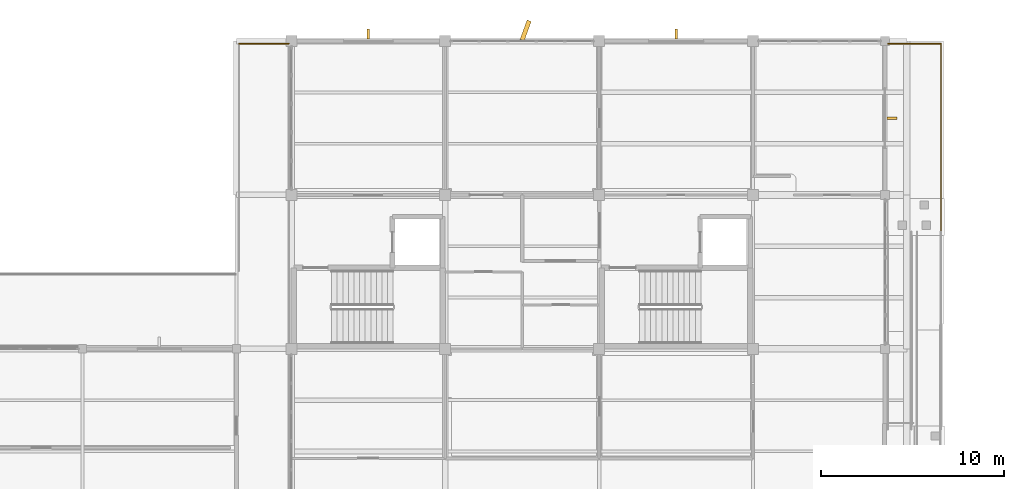
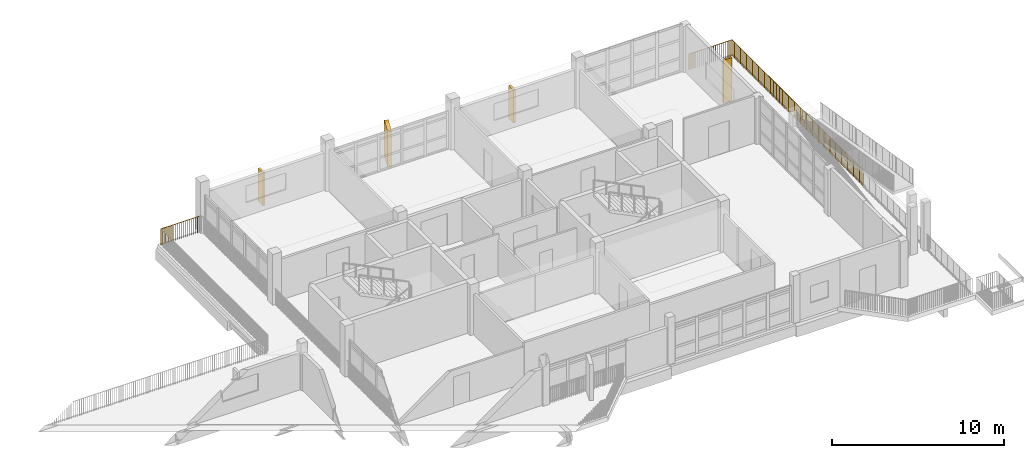
# One storey, part 33 of 33: 3 railings, 3 shading devices, 1 covering.
"""IFC4 building model written with IfcOpenShell, lengths in metres."""

import ifcopenshell
import ifcopenshell.guid

model = None  # the IFC model being written
_history = None  # IfcOwnerHistory: only IFC2X3 demands one
_inside = {}  # id of a spatial element -> (the spatial element, [elements in it])
_under = {}  # id of a project, library or spatial element -> (it, [spatial elements below it])
_declared = {}  # id of a project -> (the project, [libraries it declares])
_typed = {}  # id of a type object -> (the type object, [elements of that type])
_made_of = {}  # id of a material, layer set ... -> (it, [elements and type objects made of it])


def new_model(schema):
    """Start an empty IFC model of exactly this schema.

    Asked for "IFC4X3", IfcOpenShell would pick the latest addendum, in which some entities
    have other attributes; the version numbers below select the first issue.
    IFC2X3 requires an IfcOwnerHistory on every rooted entity: one is made here for all.
    """
    global model, _history
    if schema == "IFC4X3":
        model = ifcopenshell.file(schema_version=(4, 3, 0, 0))
    else:
        model = ifcopenshell.file(schema=schema)
    _inside.clear()
    _under.clear()
    _declared.clear()
    _typed.clear()
    _made_of.clear()
    _history = None
    if model.schema == "IFC2X3":
        org = make("IfcOrganization", Name="unknown")
        user = make(
            "IfcPersonAndOrganization",
            ThePerson=make("IfcPerson", FamilyName="unknown"),
            TheOrganization=org,
        )
        app = make(
            "IfcApplication",
            ApplicationDeveloper=org,
            Version="unknown",
            ApplicationFullName="unknown",
            ApplicationIdentifier="unknown",
        )
        _history = make(
            "IfcOwnerHistory",
            OwningUser=user,
            OwningApplication=app,
            ChangeAction="ADDED",
            CreationDate=0,
        )
    return model


def make(cls, **values):
    """One entity of the class cls with the attributes given. An attribute that is None is left unset."""
    return model.create_entity(
        cls, **{name: value for name, value in values.items() if value is not None}
    )


def rooted(cls, **values):
    """An entity with a GlobalId (a new one), such as an element, a storey or a relation."""
    return make(cls, GlobalId=ifcopenshell.guid.new(), OwnerHistory=_history, **values)


def si_unit(unit_type, name, prefix=None):
    """IfcSIUnit, for example si_unit("LENGTHUNIT", "METRE", prefix="MILLI")."""
    return make("IfcSIUnit", UnitType=unit_type, Prefix=prefix, Name=name)


def assignment(units):
    """IfcUnitAssignment: the units of a project."""
    return None if units is None else make("IfcUnitAssignment", Units=units)


def point(xyz):
    """IfcCartesianPoint."""
    return None if xyz is None else make("IfcCartesianPoint", Coordinates=xyz)


def direction(xyz):
    """IfcDirection."""
    return None if xyz is None else make("IfcDirection", DirectionRatios=xyz)


def frame(location, z_axis=None, x_axis=None):
    """IfcAxis2Placement3D, a coordinate frame: its origin and axes. An axis left out is left unset."""
    return make(
        "IfcAxis2Placement3D",
        Location=point(location),
        Axis=direction(z_axis),
        RefDirection=direction(x_axis),
    )


def frame_2d(location, x_axis=None):
    """IfcAxis2Placement2D, a coordinate frame in the plane: its origin and x axis."""
    return make(
        "IfcAxis2Placement2D", Location=point(location), RefDirection=direction(x_axis)
    )


def origin():
    """The frame at (0, 0, 0) with its axes left unset."""
    return frame((0.0, 0.0, 0.0))


def origin_2d():
    """The frame at (0, 0) in the plane with its x axis left unset."""
    return frame_2d((0.0, 0.0))


def place(relative_to, where):
    """IfcLocalPlacement: puts the frame where relative to a parent placement (None: the world)."""
    return make(
        "IfcLocalPlacement", PlacementRelTo=relative_to, RelativePlacement=where
    )


def context(
    kind, dimensions, precision=None, world=None, true_north=None, identifier=None
):
    """IfcGeometricRepresentationContext, for example the 3D "Model" context."""
    return make(
        "IfcGeometricRepresentationContext",
        ContextIdentifier=identifier,
        ContextType=kind,
        CoordinateSpaceDimension=dimensions,
        Precision=precision,
        WorldCoordinateSystem=world,
        TrueNorth=true_north,
    )


def subcontext(parent, identifier, kind, view, scale=None):
    """IfcGeometricRepresentationSubContext, for example "Body" below "Model"."""
    return make(
        "IfcGeometricRepresentationSubContext",
        ContextIdentifier=identifier,
        ContextType=kind,
        ParentContext=parent,
        TargetScale=scale,
        TargetView=view,
    )


def project(units=None, contexts=None):
    """IfcProject with its units and contexts."""
    return rooted(
        "IfcProject",
        Name="project",
        RepresentationContexts=contexts,
        UnitsInContext=assignment(units),
    )


def spatial(cls, under=None, at=None, **own):
    """A site, building, storey or space (cls), placed at a placement, below another one or the project."""
    s = rooted(cls, ObjectPlacement=at, **own)
    if under is not None:
        _under.setdefault(under.id(), (under, []))[1].append(s)
    return s


def profile(cls, at=None, kind="AREA", **sizes):
    """A parametric profile (cls). Its sizes go by their IFC names, for example OverallWidth=200.0."""
    return make(cls, ProfileType=kind, Position=at, **sizes)


def rectangle(**sizes):
    """IfcRectangleProfileDef."""
    return profile("IfcRectangleProfileDef", **sizes)


def circle(**sizes):
    """IfcCircleProfileDef."""
    return profile("IfcCircleProfileDef", **sizes)


def extrude(swept, where, along, depth):
    """IfcExtrudedAreaSolid: the profile swept, set in the frame where, extruded along a direction by depth."""
    return make(
        "IfcExtrudedAreaSolid",
        SweptArea=swept,
        Position=where,
        ExtrudedDirection=direction(along),
        Depth=depth,
    )


def shape(context_of_items, identifier, shape_type, items):
    """IfcShapeRepresentation: the items that make up one representation, for example the "Body"."""
    return make(
        "IfcShapeRepresentation",
        ContextOfItems=context_of_items,
        RepresentationIdentifier=identifier,
        RepresentationType=shape_type,
        Items=items,
    )


def material(Name=None, Category=None):
    """IfcMaterial."""
    return make("IfcMaterial", Name=Name, Category=Category)


def layer(
    of_material, thickness, ventilated=None, Name=None, Category=None, Priority=None
):
    """IfcMaterialLayer: one layer of a wall or slab, of a material (None: an air gap)."""
    return make(
        "IfcMaterialLayer",
        Material=of_material,
        LayerThickness=thickness,
        IsVentilated=ventilated,
        Name=Name,
        Category=Category,
        Priority=Priority,
    )


def layer_set(layers, Name=None):
    """IfcMaterialLayerSet."""
    return make("IfcMaterialLayerSet", MaterialLayers=layers, LayerSetName=Name)


def made_of(thing, what):
    """Note that an element or type object is made of a material, layer set ...; save() writes the relation."""
    if what is not None:
        _made_of.setdefault(what.id(), (what, []))[1].append(thing)
    return thing


def type_object(cls, material=None, **own):
    """A type object (cls), such as IfcWallType, which elements share."""
    return made_of(rooted(cls, **own), material)


def element(
    cls,
    number,
    at=None,
    inside=None,
    cuts=None,
    type_object=None,
    material=None,
    context=None,
    identifier="Body",
    shape_type=None,
    held_by="IfcProductDefinitionShape",
    body=None,
    shapes=None,
    **own,
):
    """One element of the class cls, such as IfcWall. Its Tag is "e" and its number.

    at: its placement. inside: the storey or other place that contains it. cuts: it is an
    opening in that element (IfcRelVoidsElement). A single representation is given by context,
    identifier, shape_type and body (its items); several are given by shapes. held_by: the class
    of the entity that holds the representations. save() writes the other relations.
    """
    e = rooted(cls, Tag="e%d" % number, ObjectPlacement=at, **own)
    if body is not None:
        shapes = [shape(context, identifier, shape_type, body)]
    if shapes is not None:
        e.Representation = make(held_by, Representations=shapes)
    if inside is not None:
        _inside.setdefault(inside.id(), (inside, []))[1].append(e)
    if cuts is not None:
        rooted(
            "IfcRelVoidsElement", RelatingBuildingElement=cuts, RelatedOpeningElement=e
        )
    if type_object is not None:
        _typed.setdefault(type_object.id(), (type_object, []))[1].append(e)
    return made_of(e, material)


def aggregate(whole, parts):
    """IfcRelAggregates: a whole, such as a stair, and the parts it consists of."""
    return rooted("IfcRelAggregates", RelatingObject=whole, RelatedObjects=parts)


def save(model, path):
    """Write the relations noted so far, then the file.

    IfcRelAggregates (storeys below a building ...), IfcRelContainedInSpatialStructure (elements
    in a storey), IfcRelDefinesByType, IfcRelAssociatesMaterial and IfcRelDeclares: one each for
    every whole, place, type object, material and project.
    """
    for whole, parts in _under.values():
        aggregate(whole, parts)
    for where, things in _inside.values():
        rooted(
            "IfcRelContainedInSpatialStructure",
            RelatedElements=things,
            RelatingStructure=where,
        )
    for kind, things in _typed.values():
        rooted("IfcRelDefinesByType", RelatedObjects=things, RelatingType=kind)
    for what, things in _made_of.values():
        rooted("IfcRelAssociatesMaterial", RelatedObjects=things, RelatingMaterial=what)
    for by, libraries in _declared.values():
        rooted("IfcRelDeclares", RelatingContext=by, RelatedDefinitions=libraries)
    model.write(path)


model = new_model("IFC4")

# Units and contexts
model_context = context("Model", 3, precision=1e-05, world=origin(), true_north=direction((0.0, 1.0)))
body_context = subcontext(model_context, "Body", "Model", "MODEL_VIEW")
ifc_project = project(units=[si_unit("LENGTHUNIT", "METRE"), si_unit("AREAUNIT", "SQUARE_METRE"), si_unit("VOLUMEUNIT", "CUBIC_METRE"), si_unit("PLANEANGLEUNIT", "RADIAN"), si_unit("MASSUNIT", "GRAM", prefix="KILO")], contexts=[model_context])

# Site, building, storey
site_placement = place(None, origin())
site = spatial("IfcSite", under=ifc_project, at=site_placement, CompositionType="ELEMENT")
building_placement = place(site_placement, origin())
building = spatial("IfcBuilding", under=site, at=building_placement, Name="Vanh Quang Courtyard School", CompositionType="ELEMENT")
storey_placement = place(building_placement, frame((0.0, 0.0, 18.60009765625)))
storey = spatial("IfcBuildingStorey", under=building, at=storey_placement, Name="L05", CompositionType="ELEMENT", Elevation=18.60009765625)

# Covering
ifc_material_1 = material(Name="Board-marked precast concrete C40/50", Category="concrete")
ifc_layer = layer(ifc_material_1, 0.239990234375)
ifc_layer_set = layer_set([ifc_layer], Name="Board-marked precast concrete C40/50")
covering_type = type_object("IfcCoveringType", Name="COV-HOOD-CONC", PredefinedType="CLADDING", material=ifc_layer_set)
covering_placement = place(storey_placement, frame((90.18994140625, 97.18505859375, -0.000244140625), z_axis=(0.0, 0.0, 1.0), x_axis=(0.340379550213, 0.94028812701, 0.0)))
element("IfcCovering", 1, at=covering_placement, inside=storey, type_object=covering_type, Name="Covering CH-01 (L05)", PredefinedType="CLADDING", context=body_context, shape_type="SweptSolid", body=[
    extrude(rectangle(XDim=1.11669921875, YDim=0.239990234375, at=origin_2d()), origin(), (0.0, 0.0, 1.0), 2.56005859375),
])

# Railings
ifc_material_2 = material(Name="Galvanised painted steel EN 10025-2 S355J2", Category="steel")
railing_type = type_object("IfcRailingType", Name="RAIL-GUARD-1150", PredefinedType="BALUSTRADE", material=ifc_material_2)
railing_1_placement = place(storey_placement, frame((109.96826171875, 96.4599609375, 0.0)))
element("IfcRailing", 2, at=railing_1_placement, inside=storey, type_object=railing_type, Name="Railing GR-01 (L05)", PredefinedType="BALUSTRADE", context=body_context, shape_type="SweptSolid", body=[
    extrude(circle(Radius=0.02392578125, at=origin_2d()), frame((0.0, 0.0, 1.1259765625), z_axis=(1.0, 0.0, 0.0), x_axis=(0.0, 1.0, 0.0)), (0.0, 0.0, 1.0), 2.891845703125),
    extrude(circle(Radius=0.02099609375, at=origin_2d()), origin(), (0.0, 0.0, 1.0), 1.101806640625),
    extrude(circle(Radius=0.02099609375, at=origin_2d()), frame((0.1376953125, 0.0, 0.0)), (0.0, 0.0, 1.0), 1.101806640625),
    extrude(circle(Radius=0.02099609375, at=origin_2d()), frame((0.275390625, 0.0, 0.0)), (0.0, 0.0, 1.0), 1.101806640625),
    extrude(circle(Radius=0.02099609375, at=origin_2d()), frame((0.4130859375, 0.0, 0.0)), (0.0, 0.0, 1.0), 1.101806640625),
    extrude(circle(Radius=0.02099609375, at=origin_2d()), frame((0.55078125, 0.0, 0.0)), (0.0, 0.0, 1.0), 1.101806640625),
    extrude(circle(Radius=0.02099609375, at=origin_2d()), frame((0.6884765625, 0.0, 0.0)), (0.0, 0.0, 1.0), 1.101806640625),
    extrude(circle(Radius=0.02099609375, at=origin_2d()), frame((0.826171875, 0.0, 0.0)), (0.0, 0.0, 1.0), 1.101806640625),
    extrude(circle(Radius=0.02099609375, at=origin_2d()), frame((0.9638671875, 0.0, 0.0)), (0.0, 0.0, 1.0), 1.101806640625),
    extrude(circle(Radius=0.02099609375, at=origin_2d()), frame((1.1015625, 0.0, 0.0)), (0.0, 0.0, 1.0), 1.101806640625),
    extrude(circle(Radius=0.02099609375, at=origin_2d()), frame((1.2392578125, 0.0, 0.0)), (0.0, 0.0, 1.0), 1.101806640625),
    extrude(circle(Radius=0.02099609375, at=origin_2d()), frame((1.376953125, 0.0, 0.0)), (0.0, 0.0, 1.0), 1.101806640625),
    extrude(circle(Radius=0.02099609375, at=origin_2d()), frame((1.514892578125, 0.0, 0.0)), (0.0, 0.0, 1.0), 1.101806640625),
    extrude(circle(Radius=0.02099609375, at=origin_2d()), frame((1.652587890625, 0.0, 0.0)), (0.0, 0.0, 1.0), 1.101806640625),
    extrude(circle(Radius=0.02099609375, at=origin_2d()), frame((1.790283203125, 0.0, 0.0)), (0.0, 0.0, 1.0), 1.101806640625),
    extrude(circle(Radius=0.02099609375, at=origin_2d()), frame((1.927978515625, 0.0, 0.0)), (0.0, 0.0, 1.0), 1.101806640625),
    extrude(circle(Radius=0.02099609375, at=origin_2d()), frame((2.065673828125, 0.0, 0.0)), (0.0, 0.0, 1.0), 1.101806640625),
    extrude(circle(Radius=0.02099609375, at=origin_2d()), frame((2.203369140625, 0.0, 0.0)), (0.0, 0.0, 1.0), 1.101806640625),
    extrude(circle(Radius=0.02099609375, at=origin_2d()), frame((2.341064453125, 0.0, 0.0)), (0.0, 0.0, 1.0), 1.101806640625),
    extrude(circle(Radius=0.02099609375, at=origin_2d()), frame((2.478759765625, 0.0, 0.0)), (0.0, 0.0, 1.0), 1.101806640625),
    extrude(circle(Radius=0.02099609375, at=origin_2d()), frame((2.616455078125, 0.0, 0.0)), (0.0, 0.0, 1.0), 1.101806640625),
    extrude(circle(Radius=0.02099609375, at=origin_2d()), frame((2.754150390625, 0.0, 0.0)), (0.0, 0.0, 1.0), 1.101806640625),
    extrude(circle(Radius=0.02099609375, at=origin_2d()), frame((2.891845703125, 0.0, 0.0)), (0.0, 0.0, 1.0), 1.101806640625),
])
railing_2_placement = place(storey_placement, frame((112.860107421875, 96.4599609375, 0.0)))
element("IfcRailing", 3, at=railing_2_placement, inside=storey, type_object=railing_type, Name="Railing GR-01 (L05)", PredefinedType="BALUSTRADE", context=body_context, shape_type="SweptSolid", body=[
    extrude(circle(Radius=0.02392578125, at=origin_2d()), frame((0.0, 0.0, 1.1259765625), z_axis=(0.0, -1.0, 0.0), x_axis=(1.0, 0.0, 0.0)), (0.0, 0.0, 1.0), 15.231689453125),
    extrude(circle(Radius=0.02099609375, at=origin_2d()), origin(), (0.0, 0.0, 1.0), 1.101806640625),
    extrude(circle(Radius=0.02099609375, at=origin_2d()), frame((0.0, -0.1396484375, 0.0)), (0.0, 0.0, 1.0), 1.101806640625),
    extrude(circle(Radius=0.02099609375, at=origin_2d()), frame((0.0, -0.279541015625, 0.0)), (0.0, 0.0, 1.0), 1.101806640625),
    extrude(circle(Radius=0.02099609375, at=origin_2d()), frame((0.0, -0.419189453125, 0.0)), (0.0, 0.0, 1.0), 1.101806640625),
    extrude(circle(Radius=0.02099609375, at=origin_2d()), frame((0.0, -0.55908203125, 0.0)), (0.0, 0.0, 1.0), 1.101806640625),
    extrude(circle(Radius=0.02099609375, at=origin_2d()), frame((0.0, -0.69873046875, 0.0)), (0.0, 0.0, 1.0), 1.101806640625),
    extrude(circle(Radius=0.02099609375, at=origin_2d()), frame((0.0, -0.83837890625, 0.0)), (0.0, 0.0, 1.0), 1.101806640625),
    extrude(circle(Radius=0.02099609375, at=origin_2d()), frame((0.0, -0.978271484375, 0.0)), (0.0, 0.0, 1.0), 1.101806640625),
    extrude(circle(Radius=0.02099609375, at=origin_2d()), frame((0.0, -1.117919921875, 0.0)), (0.0, 0.0, 1.0), 1.101806640625),
    extrude(circle(Radius=0.02099609375, at=origin_2d()), frame((0.0, -1.257568359375, 0.0)), (0.0, 0.0, 1.0), 1.101806640625),
    extrude(circle(Radius=0.02099609375, at=origin_2d()), frame((0.0, -1.3974609375, 0.0)), (0.0, 0.0, 1.0), 1.101806640625),
    extrude(circle(Radius=0.02099609375, at=origin_2d()), frame((0.0, -1.537109375, 0.0)), (0.0, 0.0, 1.0), 1.101806640625),
    extrude(circle(Radius=0.02099609375, at=origin_2d()), frame((0.0, -1.677001953125, 0.0)), (0.0, 0.0, 1.0), 1.101806640625),
    extrude(circle(Radius=0.02099609375, at=origin_2d()), frame((0.0, -1.816650390625, 0.0)), (0.0, 0.0, 1.0), 1.101806640625),
    extrude(circle(Radius=0.02099609375, at=origin_2d()), frame((0.0, -1.956298828125, 0.0)), (0.0, 0.0, 1.0), 1.101806640625),
    extrude(circle(Radius=0.02099609375, at=origin_2d()), frame((0.0, -2.09619140625, 0.0)), (0.0, 0.0, 1.0), 1.101806640625),
    extrude(circle(Radius=0.02099609375, at=origin_2d()), frame((0.0, -2.23583984375, 0.0)), (0.0, 0.0, 1.0), 1.101806640625),
    extrude(circle(Radius=0.02099609375, at=origin_2d()), frame((0.0, -2.37548828125, 0.0)), (0.0, 0.0, 1.0), 1.101806640625),
    extrude(circle(Radius=0.02099609375, at=origin_2d()), frame((0.0, -2.515380859375, 0.0)), (0.0, 0.0, 1.0), 1.101806640625),
    extrude(circle(Radius=0.02099609375, at=origin_2d()), frame((0.0, -2.655029296875, 0.0)), (0.0, 0.0, 1.0), 1.101806640625),
    extrude(circle(Radius=0.02099609375, at=origin_2d()), frame((0.0, -2.794921875, 0.0)), (0.0, 0.0, 1.0), 1.101806640625),
    extrude(circle(Radius=0.02099609375, at=origin_2d()), frame((0.0, -2.9345703125, 0.0)), (0.0, 0.0, 1.0), 1.101806640625),
    extrude(circle(Radius=0.02099609375, at=origin_2d()), frame((0.0, -3.07421875, 0.0)), (0.0, 0.0, 1.0), 1.101806640625),
    extrude(circle(Radius=0.02099609375, at=origin_2d()), frame((0.0, -3.214111328125, 0.0)), (0.0, 0.0, 1.0), 1.101806640625),
    extrude(circle(Radius=0.02099609375, at=origin_2d()), frame((0.0, -3.353759765625, 0.0)), (0.0, 0.0, 1.0), 1.101806640625),
    extrude(circle(Radius=0.02099609375, at=origin_2d()), frame((0.0, -3.493408203125, 0.0)), (0.0, 0.0, 1.0), 1.101806640625),
    extrude(circle(Radius=0.02099609375, at=origin_2d()), frame((0.0, -3.63330078125, 0.0)), (0.0, 0.0, 1.0), 1.101806640625),
    extrude(circle(Radius=0.02099609375, at=origin_2d()), frame((0.0, -3.77294921875, 0.0)), (0.0, 0.0, 1.0), 1.101806640625),
    extrude(circle(Radius=0.02099609375, at=origin_2d()), frame((0.0, -3.912841796875, 0.0)), (0.0, 0.0, 1.0), 1.101806640625),
    extrude(circle(Radius=0.02099609375, at=origin_2d()), frame((0.0, -4.052490234375, 0.0)), (0.0, 0.0, 1.0), 1.101806640625),
    extrude(circle(Radius=0.02099609375, at=origin_2d()), frame((0.0, -4.192138671875, 0.0)), (0.0, 0.0, 1.0), 1.101806640625),
    extrude(circle(Radius=0.02099609375, at=origin_2d()), frame((0.0, -4.33203125, 0.0)), (0.0, 0.0, 1.0), 1.101806640625),
    extrude(circle(Radius=0.02099609375, at=origin_2d()), frame((0.0, -4.4716796875, 0.0)), (0.0, 0.0, 1.0), 1.101806640625),
    extrude(circle(Radius=0.02099609375, at=origin_2d()), frame((0.0, -4.611328125, 0.0)), (0.0, 0.0, 1.0), 1.101806640625),
    extrude(circle(Radius=0.02099609375, at=origin_2d()), frame((0.0, -4.751220703125, 0.0)), (0.0, 0.0, 1.0), 1.101806640625),
    extrude(circle(Radius=0.02099609375, at=origin_2d()), frame((0.0, -4.890869140625, 0.0)), (0.0, 0.0, 1.0), 1.101806640625),
    extrude(circle(Radius=0.02099609375, at=origin_2d()), frame((0.0, -5.03076171875, 0.0)), (0.0, 0.0, 1.0), 1.101806640625),
    extrude(circle(Radius=0.02099609375, at=origin_2d()), frame((0.0, -5.17041015625, 0.0)), (0.0, 0.0, 1.0), 1.101806640625),
    extrude(circle(Radius=0.02099609375, at=origin_2d()), frame((0.0, -5.31005859375, 0.0)), (0.0, 0.0, 1.0), 1.101806640625),
    extrude(circle(Radius=0.02099609375, at=origin_2d()), frame((0.0, -5.449951171875, 0.0)), (0.0, 0.0, 1.0), 1.101806640625),
    extrude(circle(Radius=0.02099609375, at=origin_2d()), frame((0.0, -5.589599609375, 0.0)), (0.0, 0.0, 1.0), 1.101806640625),
    extrude(circle(Radius=0.02099609375, at=origin_2d()), frame((0.0, -5.729248046875, 0.0)), (0.0, 0.0, 1.0), 1.101806640625),
    extrude(circle(Radius=0.02099609375, at=origin_2d()), frame((0.0, -5.869140625, 0.0)), (0.0, 0.0, 1.0), 1.101806640625),
    extrude(circle(Radius=0.02099609375, at=origin_2d()), frame((0.0, -6.0087890625, 0.0)), (0.0, 0.0, 1.0), 1.101806640625),
    extrude(circle(Radius=0.02099609375, at=origin_2d()), frame((0.0, -6.148681640625, 0.0)), (0.0, 0.0, 1.0), 1.101806640625),
    extrude(circle(Radius=0.02099609375, at=origin_2d()), frame((0.0, -6.288330078125, 0.0)), (0.0, 0.0, 1.0), 1.101806640625),
    extrude(circle(Radius=0.02099609375, at=origin_2d()), frame((0.0, -6.427978515625, 0.0)), (0.0, 0.0, 1.0), 1.101806640625),
    extrude(circle(Radius=0.02099609375, at=origin_2d()), frame((0.0, -6.56787109375, 0.0)), (0.0, 0.0, 1.0), 1.101806640625),
    extrude(circle(Radius=0.02099609375, at=origin_2d()), frame((0.0, -6.70751953125, 0.0)), (0.0, 0.0, 1.0), 1.101806640625),
    extrude(circle(Radius=0.02099609375, at=origin_2d()), frame((0.0, -6.84716796875, 0.0)), (0.0, 0.0, 1.0), 1.101806640625),
    extrude(circle(Radius=0.02099609375, at=origin_2d()), frame((0.0, -6.987060546875, 0.0)), (0.0, 0.0, 1.0), 1.101806640625),
    extrude(circle(Radius=0.02099609375, at=origin_2d()), frame((0.0, -7.126708984375, 0.0)), (0.0, 0.0, 1.0), 1.101806640625),
    extrude(circle(Radius=0.02099609375, at=origin_2d()), frame((0.0, -7.2666015625, 0.0)), (0.0, 0.0, 1.0), 1.101806640625),
    extrude(circle(Radius=0.02099609375, at=origin_2d()), frame((0.0, -7.40625, 0.0)), (0.0, 0.0, 1.0), 1.101806640625),
    extrude(circle(Radius=0.02099609375, at=origin_2d()), frame((0.0, -7.5458984375, 0.0)), (0.0, 0.0, 1.0), 1.101806640625),
    extrude(circle(Radius=0.02099609375, at=origin_2d()), frame((0.0, -7.685791015625, 0.0)), (0.0, 0.0, 1.0), 1.101806640625),
    extrude(circle(Radius=0.02099609375, at=origin_2d()), frame((0.0, -7.825439453125, 0.0)), (0.0, 0.0, 1.0), 1.101806640625),
    extrude(circle(Radius=0.02099609375, at=origin_2d()), frame((0.0, -7.965087890625, 0.0)), (0.0, 0.0, 1.0), 1.101806640625),
    extrude(circle(Radius=0.02099609375, at=origin_2d()), frame((0.0, -8.10498046875, 0.0)), (0.0, 0.0, 1.0), 1.101806640625),
    extrude(circle(Radius=0.02099609375, at=origin_2d()), frame((0.0, -8.24462890625, 0.0)), (0.0, 0.0, 1.0), 1.101806640625),
    extrude(circle(Radius=0.02099609375, at=origin_2d()), frame((0.0, -8.384521484375, 0.0)), (0.0, 0.0, 1.0), 1.101806640625),
    extrude(circle(Radius=0.02099609375, at=origin_2d()), frame((0.0, -8.524169921875, 0.0)), (0.0, 0.0, 1.0), 1.101806640625),
    extrude(circle(Radius=0.02099609375, at=origin_2d()), frame((0.0, -8.663818359375, 0.0)), (0.0, 0.0, 1.0), 1.101806640625),
    extrude(circle(Radius=0.02099609375, at=origin_2d()), frame((0.0, -8.8037109375, 0.0)), (0.0, 0.0, 1.0), 1.101806640625),
    extrude(circle(Radius=0.02099609375, at=origin_2d()), frame((0.0, -8.943359375, 0.0)), (0.0, 0.0, 1.0), 1.101806640625),
    extrude(circle(Radius=0.02099609375, at=origin_2d()), frame((0.0, -9.0830078125, 0.0)), (0.0, 0.0, 1.0), 1.101806640625),
    extrude(circle(Radius=0.02099609375, at=origin_2d()), frame((0.0, -9.222900390625, 0.0)), (0.0, 0.0, 1.0), 1.101806640625),
    extrude(circle(Radius=0.02099609375, at=origin_2d()), frame((0.0, -9.362548828125, 0.0)), (0.0, 0.0, 1.0), 1.101806640625),
    extrude(circle(Radius=0.02099609375, at=origin_2d()), frame((0.0, -9.50244140625, 0.0)), (0.0, 0.0, 1.0), 1.101806640625),
    extrude(circle(Radius=0.02099609375, at=origin_2d()), frame((0.0, -9.64208984375, 0.0)), (0.0, 0.0, 1.0), 1.101806640625),
    extrude(circle(Radius=0.02099609375, at=origin_2d()), frame((0.0, -9.78173828125, 0.0)), (0.0, 0.0, 1.0), 1.101806640625),
    extrude(circle(Radius=0.02099609375, at=origin_2d()), frame((0.0, -9.921630859375, 0.0)), (0.0, 0.0, 1.0), 1.101806640625),
    extrude(circle(Radius=0.02099609375, at=origin_2d()), frame((0.0, -10.061279296875, 0.0)), (0.0, 0.0, 1.0), 1.101806640625),
    extrude(circle(Radius=0.02099609375, at=origin_2d()), frame((0.0, -10.200927734375, 0.0)), (0.0, 0.0, 1.0), 1.101806640625),
    extrude(circle(Radius=0.02099609375, at=origin_2d()), frame((0.0, -10.3408203125, 0.0)), (0.0, 0.0, 1.0), 1.101806640625),
    extrude(circle(Radius=0.02099609375, at=origin_2d()), frame((0.0, -10.48046875, 0.0)), (0.0, 0.0, 1.0), 1.101806640625),
    extrude(circle(Radius=0.02099609375, at=origin_2d()), frame((0.0, -10.620361328125, 0.0)), (0.0, 0.0, 1.0), 1.101806640625),
    extrude(circle(Radius=0.02099609375, at=origin_2d()), frame((0.0, -10.760009765625, 0.0)), (0.0, 0.0, 1.0), 1.101806640625),
    extrude(circle(Radius=0.02099609375, at=origin_2d()), frame((0.0, -10.899658203125, 0.0)), (0.0, 0.0, 1.0), 1.101806640625),
    extrude(circle(Radius=0.02099609375, at=origin_2d()), frame((0.0, -11.03955078125, 0.0)), (0.0, 0.0, 1.0), 1.101806640625),
    extrude(circle(Radius=0.02099609375, at=origin_2d()), frame((0.0, -11.17919921875, 0.0)), (0.0, 0.0, 1.0), 1.101806640625),
    extrude(circle(Radius=0.02099609375, at=origin_2d()), frame((0.0, -11.31884765625, 0.0)), (0.0, 0.0, 1.0), 1.101806640625),
    extrude(circle(Radius=0.02099609375, at=origin_2d()), frame((0.0, -11.458740234375, 0.0)), (0.0, 0.0, 1.0), 1.101806640625),
    extrude(circle(Radius=0.02099609375, at=origin_2d()), frame((0.0, -11.598388671875, 0.0)), (0.0, 0.0, 1.0), 1.101806640625),
    extrude(circle(Radius=0.02099609375, at=origin_2d()), frame((0.0, -11.73828125, 0.0)), (0.0, 0.0, 1.0), 1.101806640625),
    extrude(circle(Radius=0.02099609375, at=origin_2d()), frame((0.0, -11.8779296875, 0.0)), (0.0, 0.0, 1.0), 1.101806640625),
    extrude(circle(Radius=0.02099609375, at=origin_2d()), frame((0.0, -12.017578125, 0.0)), (0.0, 0.0, 1.0), 1.101806640625),
    extrude(circle(Radius=0.02099609375, at=origin_2d()), frame((0.0, -12.157470703125, 0.0)), (0.0, 0.0, 1.0), 1.101806640625),
    extrude(circle(Radius=0.02099609375, at=origin_2d()), frame((0.0, -12.297119140625, 0.0)), (0.0, 0.0, 1.0), 1.101806640625),
    extrude(circle(Radius=0.02099609375, at=origin_2d()), frame((0.0, -12.436767578125, 0.0)), (0.0, 0.0, 1.0), 1.101806640625),
    extrude(circle(Radius=0.02099609375, at=origin_2d()), frame((0.0, -12.57666015625, 0.0)), (0.0, 0.0, 1.0), 1.101806640625),
    extrude(circle(Radius=0.02099609375, at=origin_2d()), frame((0.0, -12.71630859375, 0.0)), (0.0, 0.0, 1.0), 1.101806640625),
    extrude(circle(Radius=0.02099609375, at=origin_2d()), frame((0.0, -12.856201171875, 0.0)), (0.0, 0.0, 1.0), 1.101806640625),
    extrude(circle(Radius=0.02099609375, at=origin_2d()), frame((0.0, -12.995849609375, 0.0)), (0.0, 0.0, 1.0), 1.101806640625),
    extrude(circle(Radius=0.02099609375, at=origin_2d()), frame((0.0, -13.135498046875, 0.0)), (0.0, 0.0, 1.0), 1.101806640625),
    extrude(circle(Radius=0.02099609375, at=origin_2d()), frame((0.0, -13.275390625, 0.0)), (0.0, 0.0, 1.0), 1.101806640625),
    extrude(circle(Radius=0.02099609375, at=origin_2d()), frame((0.0, -13.4150390625, 0.0)), (0.0, 0.0, 1.0), 1.101806640625),
    extrude(circle(Radius=0.02099609375, at=origin_2d()), frame((0.0, -13.5546875, 0.0)), (0.0, 0.0, 1.0), 1.101806640625),
    extrude(circle(Radius=0.02099609375, at=origin_2d()), frame((0.0, -13.694580078125, 0.0)), (0.0, 0.0, 1.0), 1.101806640625),
    extrude(circle(Radius=0.02099609375, at=origin_2d()), frame((0.0, -13.834228515625, 0.0)), (0.0, 0.0, 1.0), 1.101806640625),
    extrude(circle(Radius=0.02099609375, at=origin_2d()), frame((0.0, -13.97412109375, 0.0)), (0.0, 0.0, 1.0), 1.101806640625),
    extrude(circle(Radius=0.02099609375, at=origin_2d()), frame((0.0, -14.11376953125, 0.0)), (0.0, 0.0, 1.0), 1.101806640625),
    extrude(circle(Radius=0.02099609375, at=origin_2d()), frame((0.0, -14.25341796875, 0.0)), (0.0, 0.0, 1.0), 1.101806640625),
    extrude(circle(Radius=0.02099609375, at=origin_2d()), frame((0.0, -14.393310546875, 0.0)), (0.0, 0.0, 1.0), 1.101806640625),
    extrude(circle(Radius=0.02099609375, at=origin_2d()), frame((0.0, -14.532958984375, 0.0)), (0.0, 0.0, 1.0), 1.101806640625),
    extrude(circle(Radius=0.02099609375, at=origin_2d()), frame((0.0, -14.672607421875, 0.0)), (0.0, 0.0, 1.0), 1.101806640625),
    extrude(circle(Radius=0.02099609375, at=origin_2d()), frame((0.0, -14.8125, 0.0)), (0.0, 0.0, 1.0), 1.101806640625),
    extrude(circle(Radius=0.02099609375, at=origin_2d()), frame((0.0, -14.9521484375, 0.0)), (0.0, 0.0, 1.0), 1.101806640625),
    extrude(circle(Radius=0.02099609375, at=origin_2d()), frame((0.0, -15.092041015625, 0.0)), (0.0, 0.0, 1.0), 1.101806640625),
    extrude(circle(Radius=0.02099609375, at=origin_2d()), frame((0.0, -15.231689453125, 0.0)), (0.0, 0.0, 1.0), 1.101806640625),
])
railing_3_placement = place(storey_placement, frame((74.5400390625, 96.4599609375, 0.0)))
element("IfcRailing", 4, at=railing_3_placement, inside=storey, type_object=railing_type, Name="Railing GR-01 (L05)", PredefinedType="BALUSTRADE", context=body_context, shape_type="SweptSolid", body=[
    extrude(circle(Radius=0.02392578125, at=origin_2d()), frame((0.0, 0.0, 1.1259765625), z_axis=(1.0, 0.0, 0.0), x_axis=(0.0, 1.0, 0.0)), (0.0, 0.0, 1.0), 2.719970703125),
    extrude(circle(Radius=0.02099609375, at=origin_2d()), origin(), (0.0, 0.0, 1.0), 1.101806640625),
    extrude(circle(Radius=0.02099609375, at=origin_2d()), frame((0.135986328125, 0.0, 0.0)), (0.0, 0.0, 1.0), 1.101806640625),
    extrude(circle(Radius=0.02099609375, at=origin_2d()), frame((0.27197265625, 0.0, 0.0)), (0.0, 0.0, 1.0), 1.101806640625),
    extrude(circle(Radius=0.02099609375, at=origin_2d()), frame((0.407958984375, 0.0, 0.0)), (0.0, 0.0, 1.0), 1.101806640625),
    extrude(circle(Radius=0.02099609375, at=origin_2d()), frame((0.5439453125, 0.0, 0.0)), (0.0, 0.0, 1.0), 1.101806640625),
    extrude(circle(Radius=0.02099609375, at=origin_2d()), frame((0.679931640625, 0.0, 0.0)), (0.0, 0.0, 1.0), 1.101806640625),
    extrude(circle(Radius=0.02099609375, at=origin_2d()), frame((0.81591796875, 0.0, 0.0)), (0.0, 0.0, 1.0), 1.101806640625),
    extrude(circle(Radius=0.02099609375, at=origin_2d()), frame((0.951904296875, 0.0, 0.0)), (0.0, 0.0, 1.0), 1.101806640625),
    extrude(circle(Radius=0.02099609375, at=origin_2d()), frame((1.087890625, 0.0, 0.0)), (0.0, 0.0, 1.0), 1.101806640625),
    extrude(circle(Radius=0.02099609375, at=origin_2d()), frame((1.223876953125, 0.0, 0.0)), (0.0, 0.0, 1.0), 1.101806640625),
    extrude(circle(Radius=0.02099609375, at=origin_2d()), frame((1.35986328125, 0.0, 0.0)), (0.0, 0.0, 1.0), 1.101806640625),
    extrude(circle(Radius=0.02099609375, at=origin_2d()), frame((1.49609375, 0.0, 0.0)), (0.0, 0.0, 1.0), 1.101806640625),
    extrude(circle(Radius=0.02099609375, at=origin_2d()), frame((1.632080078125, 0.0, 0.0)), (0.0, 0.0, 1.0), 1.101806640625),
    extrude(circle(Radius=0.02099609375, at=origin_2d()), frame((1.76806640625, 0.0, 0.0)), (0.0, 0.0, 1.0), 1.101806640625),
    extrude(circle(Radius=0.02099609375, at=origin_2d()), frame((1.904052734375, 0.0, 0.0)), (0.0, 0.0, 1.0), 1.101806640625),
    extrude(circle(Radius=0.02099609375, at=origin_2d()), frame((2.0400390625, 0.0, 0.0)), (0.0, 0.0, 1.0), 1.101806640625),
    extrude(circle(Radius=0.02099609375, at=origin_2d()), frame((2.176025390625, 0.0, 0.0)), (0.0, 0.0, 1.0), 1.101806640625),
    extrude(circle(Radius=0.02099609375, at=origin_2d()), frame((2.31201171875, 0.0, 0.0)), (0.0, 0.0, 1.0), 1.101806640625),
    extrude(circle(Radius=0.02099609375, at=origin_2d()), frame((2.447998046875, 0.0, 0.0)), (0.0, 0.0, 1.0), 1.101806640625),
    extrude(circle(Radius=0.02099609375, at=origin_2d()), frame((2.583984375, 0.0, 0.0)), (0.0, 0.0, 1.0), 1.101806640625),
    extrude(circle(Radius=0.02099609375, at=origin_2d()), frame((2.719970703125, 0.0, 0.0)), (0.0, 0.0, 1.0), 1.101806640625),
])

# Shading devices
shading_device_type = type_object("IfcShadingDeviceType", Name="SHD-FIN-CONCRETE", PredefinedType="USERDEFINED", material=ifc_material_1)
for number, where, z_axis, x_axis, name in (
    (5, (81.60009765625, 96.985107421875, 0.14990234375), (0.0, 0.0, 1.0), (1.0, 0.0, 0.0), "Solar Shading SH-02 (L05)"),
    (6, (98.39990234375, 96.985107421875, 0.14990234375), (0.0, 0.0, 1.0), (1.0, 0.0, 0.0), "Solar Shading SH-02 (L05)"),
):
    element("IfcShadingDevice", number, at=place(storey_placement, frame(where, z_axis=z_axis, x_axis=x_axis)), inside=storey, type_object=shading_device_type, Name=name, ObjectType="Solar Shading SH-02 (L05)", PredefinedType="USERDEFINED", context=body_context, shape_type="SweptSolid", body=[
        extrude(rectangle(XDim=0.139892578125, YDim=0.550048828125, at=origin_2d()), origin(), (0.0, 0.0, 1.0), 2.35009765625),
    ])
shading_device_placement = place(storey_placement, frame((110.18505859375, 92.39990234375, 0.14990234375), z_axis=(0.0, 0.0, 1.0), x_axis=(0.0, -1.0, 0.0)))
element("IfcShadingDevice", 7, at=shading_device_placement, inside=storey, type_object=shading_device_type, Name="Solar Shading SH-02 (L05)", ObjectType="Solar Shading SH-02 (L05)", PredefinedType="USERDEFINED", context=body_context, shape_type="SweptSolid", body=[
    extrude(rectangle(XDim=0.139892578125, YDim=0.550048828125, at=origin_2d()), origin(), (0.0, 0.0, 1.0), 3.050048828125),
])

save(model, "model.ifc")
